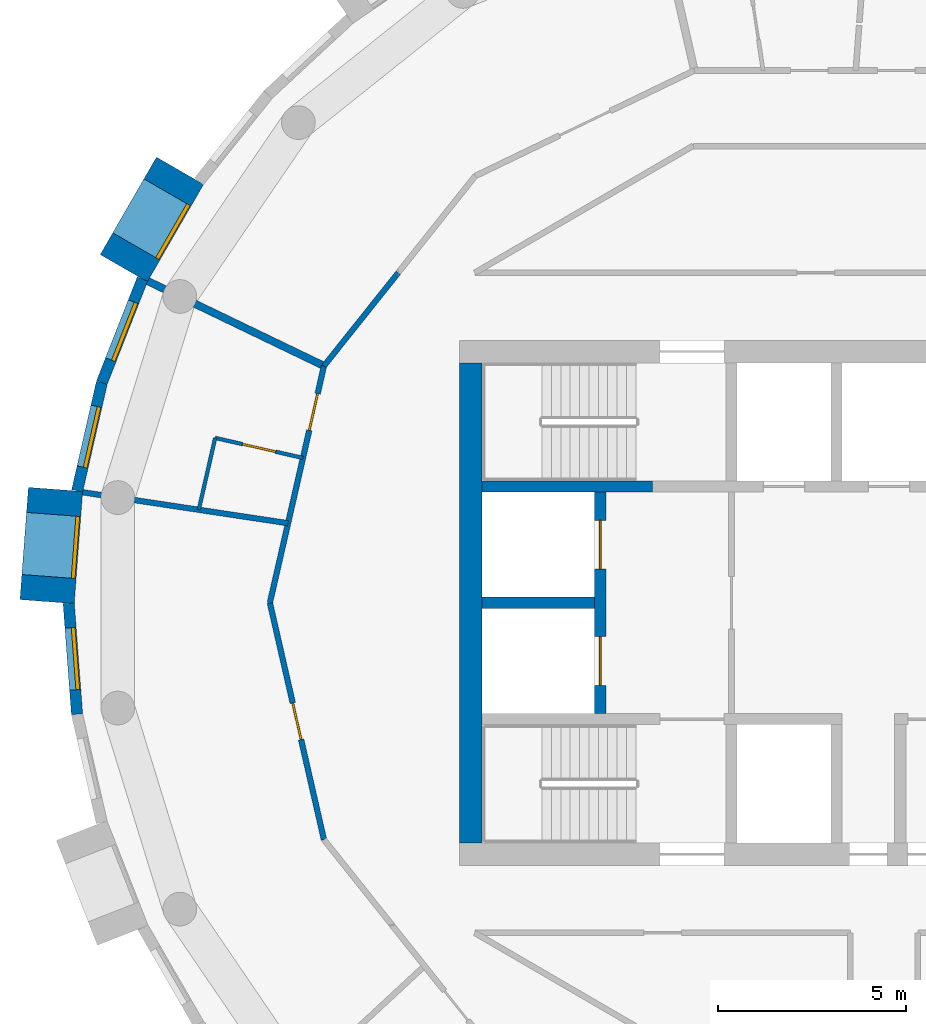
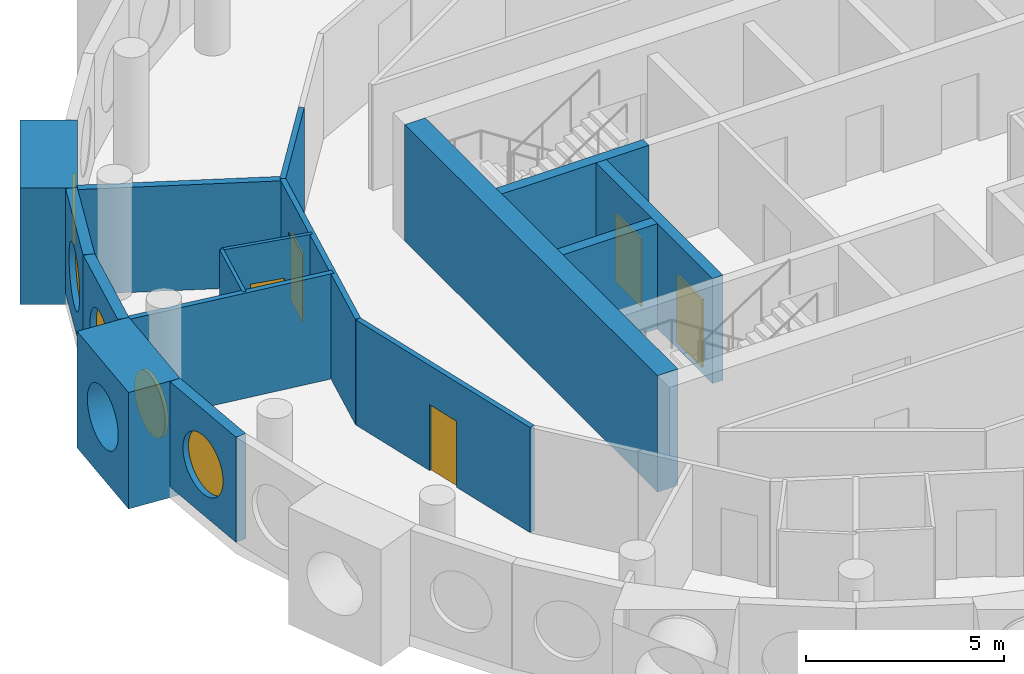
# One storey, part 6 of 13: 16 walls, 5 doors, 5 windows, 10 openings.
"""IFC4 building model written with IfcOpenShell, lengths in metres."""

import ifcopenshell
import ifcopenshell.guid

model = None  # the IFC model being written
_history = None  # IfcOwnerHistory: only IFC2X3 demands one
_inside = {}  # id of a spatial element -> (the spatial element, [elements in it])
_under = {}  # id of a project, library or spatial element -> (it, [spatial elements below it])
_declared = {}  # id of a project -> (the project, [libraries it declares])
_typed = {}  # id of a type object -> (the type object, [elements of that type])
_made_of = {}  # id of a material, layer set ... -> (it, [elements and type objects made of it])


def new_model(schema):
    """Start an empty IFC model of exactly this schema.

    Asked for "IFC4X3", IfcOpenShell would pick the latest addendum, in which some entities
    have other attributes; the version numbers below select the first issue.
    IFC2X3 requires an IfcOwnerHistory on every rooted entity: one is made here for all.
    """
    global model, _history
    if schema == "IFC4X3":
        model = ifcopenshell.file(schema_version=(4, 3, 0, 0))
    else:
        model = ifcopenshell.file(schema=schema)
    _inside.clear()
    _under.clear()
    _declared.clear()
    _typed.clear()
    _made_of.clear()
    _history = None
    if model.schema == "IFC2X3":
        org = make("IfcOrganization", Name="unknown")
        user = make(
            "IfcPersonAndOrganization",
            ThePerson=make("IfcPerson", FamilyName="unknown"),
            TheOrganization=org,
        )
        app = make(
            "IfcApplication",
            ApplicationDeveloper=org,
            Version="unknown",
            ApplicationFullName="unknown",
            ApplicationIdentifier="unknown",
        )
        _history = make(
            "IfcOwnerHistory",
            OwningUser=user,
            OwningApplication=app,
            ChangeAction="ADDED",
            CreationDate=0,
        )
    return model


def make(cls, **values):
    """One entity of the class cls with the attributes given. An attribute that is None is left unset."""
    return model.create_entity(
        cls, **{name: value for name, value in values.items() if value is not None}
    )


def rooted(cls, **values):
    """An entity with a GlobalId (a new one), such as an element, a storey or a relation."""
    return make(cls, GlobalId=ifcopenshell.guid.new(), OwnerHistory=_history, **values)


def si_unit(unit_type, name, prefix=None):
    """IfcSIUnit, for example si_unit("LENGTHUNIT", "METRE", prefix="MILLI")."""
    return make("IfcSIUnit", UnitType=unit_type, Prefix=prefix, Name=name)


def assignment(units):
    """IfcUnitAssignment: the units of a project."""
    return None if units is None else make("IfcUnitAssignment", Units=units)


def point(xyz):
    """IfcCartesianPoint."""
    return None if xyz is None else make("IfcCartesianPoint", Coordinates=xyz)


def direction(xyz):
    """IfcDirection."""
    return None if xyz is None else make("IfcDirection", DirectionRatios=xyz)


def frame(location, z_axis=None, x_axis=None):
    """IfcAxis2Placement3D, a coordinate frame: its origin and axes. An axis left out is left unset."""
    return make(
        "IfcAxis2Placement3D",
        Location=point(location),
        Axis=direction(z_axis),
        RefDirection=direction(x_axis),
    )


def frame_2d(location, x_axis=None):
    """IfcAxis2Placement2D, a coordinate frame in the plane: its origin and x axis."""
    return make(
        "IfcAxis2Placement2D", Location=point(location), RefDirection=direction(x_axis)
    )


def origin():
    """The frame at (0, 0, 0) with its axes left unset."""
    return frame((0.0, 0.0, 0.0))


def origin_2d():
    """The frame at (0, 0) in the plane with its x axis left unset."""
    return frame_2d((0.0, 0.0))


def place(relative_to, where):
    """IfcLocalPlacement: puts the frame where relative to a parent placement (None: the world)."""
    return make(
        "IfcLocalPlacement", PlacementRelTo=relative_to, RelativePlacement=where
    )


def context(
    kind, dimensions, precision=None, world=None, true_north=None, identifier=None
):
    """IfcGeometricRepresentationContext, for example the 3D "Model" context."""
    return make(
        "IfcGeometricRepresentationContext",
        ContextIdentifier=identifier,
        ContextType=kind,
        CoordinateSpaceDimension=dimensions,
        Precision=precision,
        WorldCoordinateSystem=world,
        TrueNorth=true_north,
    )


def subcontext(parent, identifier, kind, view, scale=None):
    """IfcGeometricRepresentationSubContext, for example "Body" below "Model"."""
    return make(
        "IfcGeometricRepresentationSubContext",
        ContextIdentifier=identifier,
        ContextType=kind,
        ParentContext=parent,
        TargetScale=scale,
        TargetView=view,
    )


def project(units=None, contexts=None):
    """IfcProject with its units and contexts."""
    return rooted(
        "IfcProject",
        Name="project",
        RepresentationContexts=contexts,
        UnitsInContext=assignment(units),
    )


def spatial(cls, under=None, at=None, **own):
    """A site, building, storey or space (cls), placed at a placement, below another one or the project."""
    s = rooted(cls, ObjectPlacement=at, **own)
    if under is not None:
        _under.setdefault(under.id(), (under, []))[1].append(s)
    return s


def profile(cls, at=None, kind="AREA", **sizes):
    """A parametric profile (cls). Its sizes go by their IFC names, for example OverallWidth=200.0."""
    return make(cls, ProfileType=kind, Position=at, **sizes)


def rectangle(**sizes):
    """IfcRectangleProfileDef."""
    return profile("IfcRectangleProfileDef", **sizes)


def circle(**sizes):
    """IfcCircleProfileDef."""
    return profile("IfcCircleProfileDef", **sizes)


def extrude(swept, where, along, depth):
    """IfcExtrudedAreaSolid: the profile swept, set in the frame where, extruded along a direction by depth."""
    return make(
        "IfcExtrudedAreaSolid",
        SweptArea=swept,
        Position=where,
        ExtrudedDirection=direction(along),
        Depth=depth,
    )


def shape(context_of_items, identifier, shape_type, items):
    """IfcShapeRepresentation: the items that make up one representation, for example the "Body"."""
    return make(
        "IfcShapeRepresentation",
        ContextOfItems=context_of_items,
        RepresentationIdentifier=identifier,
        RepresentationType=shape_type,
        Items=items,
    )


def material(Name=None, Category=None):
    """IfcMaterial."""
    return make("IfcMaterial", Name=Name, Category=Category)


def layer(
    of_material, thickness, ventilated=None, Name=None, Category=None, Priority=None
):
    """IfcMaterialLayer: one layer of a wall or slab, of a material (None: an air gap)."""
    return make(
        "IfcMaterialLayer",
        Material=of_material,
        LayerThickness=thickness,
        IsVentilated=ventilated,
        Name=Name,
        Category=Category,
        Priority=Priority,
    )


def layer_set(layers, Name=None):
    """IfcMaterialLayerSet."""
    return make("IfcMaterialLayerSet", MaterialLayers=layers, LayerSetName=Name)


def made_of(thing, what):
    """Note that an element or type object is made of a material, layer set ...; save() writes the relation."""
    if what is not None:
        _made_of.setdefault(what.id(), (what, []))[1].append(thing)
    return thing


def type_object(cls, material=None, **own):
    """A type object (cls), such as IfcWallType, which elements share."""
    return made_of(rooted(cls, **own), material)


def element(
    cls,
    number,
    at=None,
    inside=None,
    cuts=None,
    type_object=None,
    material=None,
    context=None,
    identifier="Body",
    shape_type=None,
    held_by="IfcProductDefinitionShape",
    body=None,
    shapes=None,
    **own,
):
    """One element of the class cls, such as IfcWall. Its Tag is "e" and its number.

    at: its placement. inside: the storey or other place that contains it. cuts: it is an
    opening in that element (IfcRelVoidsElement). A single representation is given by context,
    identifier, shape_type and body (its items); several are given by shapes. held_by: the class
    of the entity that holds the representations. save() writes the other relations.
    """
    e = rooted(cls, Tag="e%d" % number, ObjectPlacement=at, **own)
    if body is not None:
        shapes = [shape(context, identifier, shape_type, body)]
    if shapes is not None:
        e.Representation = make(held_by, Representations=shapes)
    if inside is not None:
        _inside.setdefault(inside.id(), (inside, []))[1].append(e)
    if cuts is not None:
        rooted(
            "IfcRelVoidsElement", RelatingBuildingElement=cuts, RelatedOpeningElement=e
        )
    if type_object is not None:
        _typed.setdefault(type_object.id(), (type_object, []))[1].append(e)
    return made_of(e, material)


def fill(opening, filler):
    """IfcRelFillsElement: the door or window that sits in an opening."""
    return rooted(
        "IfcRelFillsElement",
        RelatingOpeningElement=opening,
        RelatedBuildingElement=filler,
    )


def aggregate(whole, parts):
    """IfcRelAggregates: a whole, such as a stair, and the parts it consists of."""
    return rooted("IfcRelAggregates", RelatingObject=whole, RelatedObjects=parts)


def save(model, path):
    """Write the relations noted so far, then the file.

    IfcRelAggregates (storeys below a building ...), IfcRelContainedInSpatialStructure (elements
    in a storey), IfcRelDefinesByType, IfcRelAssociatesMaterial and IfcRelDeclares: one each for
    every whole, place, type object, material and project.
    """
    for whole, parts in _under.values():
        aggregate(whole, parts)
    for where, things in _inside.values():
        rooted(
            "IfcRelContainedInSpatialStructure",
            RelatedElements=things,
            RelatingStructure=where,
        )
    for kind, things in _typed.values():
        rooted("IfcRelDefinesByType", RelatedObjects=things, RelatingType=kind)
    for what, things in _made_of.values():
        rooted("IfcRelAssociatesMaterial", RelatedObjects=things, RelatingMaterial=what)
    for by, libraries in _declared.values():
        rooted("IfcRelDeclares", RelatingContext=by, RelatedDefinitions=libraries)
    model.write(path)


model = new_model("IFC4")

# Units and contexts
model_context = context("Model", 3, precision=1e-05, world=origin(), true_north=direction((0.0, 1.0)))
body_context = subcontext(model_context, "Body", "Model", "MODEL_VIEW")
ifc_project = project(units=[si_unit("LENGTHUNIT", "METRE"), si_unit("AREAUNIT", "SQUARE_METRE"), si_unit("VOLUMEUNIT", "CUBIC_METRE"), si_unit("PLANEANGLEUNIT", "RADIAN"), si_unit("MASSUNIT", "GRAM", prefix="KILO")], contexts=[model_context])

# Site, building, storey
site_placement = place(None, origin())
site = spatial("IfcSite", under=ifc_project, at=site_placement, CompositionType="ELEMENT")
building_placement = place(site_placement, origin())
building = spatial("IfcBuilding", under=site, at=building_placement, Name="Tracery Tower", CompositionType="ELEMENT")
storey_placement = place(building_placement, frame((0.0, 0.0, 294.60009765625)))
storey = spatial("IfcBuildingStorey", under=building, at=storey_placement, Name="L76", CompositionType="ELEMENT", Elevation=294.60009765625)

# Wall
ifc_material_1 = material(Name="Concrete C40/50", Category="concrete")
ifc_layer_1 = layer(ifc_material_1, 0.60009765625)
ifc_layer_set_1 = layer_set([ifc_layer_1], Name="Core wall 600 C40")
wall_type_1 = type_object("IfcWallType", Name="Core wall 600 C40", PredefinedType="SOLIDWALL", material=ifc_layer_set_1)
wall_1_placement = place(storey_placement, frame((-9.199951171875, -6.39990234375, 0.0), z_axis=(0.0, 0.0, 1.0), x_axis=(0.0, 1.0, 0.0)))
element("IfcWall", 1, at=wall_1_placement, inside=storey, type_object=wall_type_1, Name="L76 outer W", PredefinedType="SOLIDWALL", context=body_context, shape_type="SweptSolid", body=[
    extrude(rectangle(XDim=12.7998046875, YDim=0.60009765625, at=frame_2d((6.39990234375, 0.0))), origin(), (0.0, 0.0, 1.0), 3.599853515625),
])

# Wall, opening, window
ifc_material_2 = material(Name="Precast concrete C50/60", Category="concrete")
ifc_layer_2 = layer(ifc_material_2, 1.449951171875)
ifc_layer_set_2 = layer_set([ifc_layer_2], Name="Deep-set bay unit 3000 x 3600, slab edge 350")
wall_type_2 = type_object("IfcWallType", Name="Deep-set bay unit 3000 x 3600, slab edge 350", PredefinedType="ELEMENTEDWALL", material=ifc_layer_set_2)
wall_2_placement = place(storey_placement, frame((-16.952392578125, 11.51953125, -0.35009765625), z_axis=(0.0, 0.0, 1.0), x_axis=(-0.499990139034, -0.866031096941, 0.0)))
wall_2 = element("IfcWall", 2, at=wall_2_placement, inside=storey, type_object=wall_type_2, Name="Deep-set bay unit 18 at L76", PredefinedType="ELEMENTEDWALL", context=body_context, shape_type="SweptSolid", body=[
    extrude(rectangle(XDim=3.0, YDim=1.449951171875, at=frame_2d((1.5, 0.0))), origin(), (0.0, 0.0, 1.0), 3.60009765625),
])
opening_1_placement = place(wall_2_placement, frame((1.5, 0.0, 1.89990234375)))
opening_1 = element("IfcOpeningElement", 3, at=opening_1_placement, cuts=wall_2, Name="Opening WN1", PredefinedType="OPENING", context=body_context, shape_type="SweptSolid", body=[
    extrude(circle(Radius=0.9000244140625, at=origin_2d()), frame((0.0, 0.73486328125, 0.0), z_axis=(0.0, -1.0, 0.0), x_axis=(1.0, 0.0, 0.0)), (0.0, 0.0, 1.0), 1.469970703125),
])
ifc_material_3 = material(Name="Aluminium frame with tinted double glazing", Category="aluminium")
window_type = type_object("IfcWindowType", Name="Round window 1800", PartitioningType="SINGLE_PANEL", PredefinedType="WINDOW", material=ifc_material_3)
window_1_placement = place(opening_1_placement, origin())
window_1 = element("IfcWindow", 4, at=window_1_placement, inside=storey, type_object=window_type, Name="Round window 18 at L76", OverallHeight=1.800048828125, OverallWidth=1.800048828125, PartitioningType="SINGLE_PANEL", PredefinedType="WINDOW", context=body_context, shape_type="SweptSolid", body=[
    extrude(circle(Radius=0.9000244140625, at=origin_2d()), frame((0.0, 0.69482421875, 0.0), z_axis=(0.0, -1.0, 0.0), x_axis=(1.0, 0.0, 0.0)), (0.0, 0.0, 1.0), 0.10009765625),
])
fill(opening_1, window_1)

wall_3_placement = place(storey_placement, frame((-20.271728515625, 3.0234375, -0.35009765625), z_axis=(0.0, 0.0, 1.0), x_axis=(-0.074785902127, -0.997199613339, 0.0)))
wall_3 = element("IfcWall", 5, at=wall_3_placement, inside=storey, type_object=wall_type_2, Name="Deep-set bay unit 21 at L76", PredefinedType="ELEMENTEDWALL", context=body_context, shape_type="SweptSolid", body=[
    extrude(rectangle(XDim=3.0, YDim=1.449951171875, at=frame_2d((1.5, 0.0))), origin(), (0.0, 0.0, 1.0), 3.60009765625),
])
opening_2_placement = place(wall_3_placement, frame((1.5, 0.0, 1.89990234375)))
opening_2 = element("IfcOpeningElement", 6, at=opening_2_placement, cuts=wall_3, Name="Opening WN1", PredefinedType="OPENING", context=body_context, shape_type="SweptSolid", body=[
    extrude(circle(Radius=0.9000244140625, at=origin_2d()), frame((0.0, 0.73486328125, 0.0), z_axis=(0.0, -1.0, 0.0), x_axis=(1.0, 0.0, 0.0)), (0.0, 0.0, 1.0), 1.469970703125),
])
window_2_placement = place(opening_2_placement, origin())
window_2 = element("IfcWindow", 7, at=window_2_placement, inside=storey, type_object=window_type, Name="Round window 21 at L76", OverallHeight=1.800048828125, OverallWidth=1.800048828125, PartitioningType="SINGLE_PANEL", PredefinedType="WINDOW", context=body_context, shape_type="SweptSolid", body=[
    extrude(circle(Radius=0.9000244140625, at=origin_2d()), frame((0.0, 0.69482421875, 0.0), z_axis=(0.0, -1.0, 0.0), x_axis=(1.0, 0.0, 0.0)), (0.0, 0.0, 1.0), 0.10009765625),
])
fill(opening_2, window_2)

ifc_material_4 = material(Name="Precast concrete C50/60", Category="concrete")
ifc_layer_3 = layer(ifc_material_4, 0.300048828125)
ifc_layer_set_3 = layer_set([ifc_layer_3], Name="Facade panel 3000 x 3250")
wall_type_3 = type_object("IfcWallType", Name="Facade panel 3000 x 3250", PredefinedType="SOLIDWALL", material=ifc_layer_set_3)
wall_4_placement = place(storey_placement, frame((-17.95458984375, 8.62939453125, 0.0), z_axis=(0.0, 0.0, 1.0), x_axis=(-0.36530043032, -0.930889679612, 0.0)))
wall_4 = element("IfcWall", 8, at=wall_4_placement, inside=storey, type_object=wall_type_3, Name="Facade panel 19 at L76", PredefinedType="SOLIDWALL", context=body_context, shape_type="SweptSolid", body=[
    extrude(rectangle(XDim=2.9619140625, YDim=0.300048828125, at=frame_2d((1.48095703125, 0.0))), origin(), (0.0, 0.0, 1.0), 3.25),
])
opening_3_placement = place(wall_4_placement, frame((1.48095703125, 0.0, 1.5498046875)))
opening_3 = element("IfcOpeningElement", 9, at=opening_3_placement, cuts=wall_4, Name="Opening WN1", PredefinedType="OPENING", context=body_context, shape_type="SweptSolid", body=[
    extrude(circle(Radius=0.9000244140625, at=origin_2d()), frame((0.0, 0.159912109375, 0.0), z_axis=(0.0, -1.0, 0.0), x_axis=(1.0, 0.0, 0.0)), (0.0, 0.0, 1.0), 0.320068359375),
])
window_3_placement = place(opening_3_placement, origin())
window_3 = element("IfcWindow", 10, at=window_3_placement, inside=storey, type_object=window_type, Name="Round window 19 at L76", OverallHeight=1.800048828125, OverallWidth=1.800048828125, PartitioningType="SINGLE_PANEL", PredefinedType="WINDOW", context=body_context, shape_type="SweptSolid", body=[
    extrude(circle(Radius=0.9000244140625, at=origin_2d()), frame((0.0, 0.1201171875, 0.0), z_axis=(0.0, -1.0, 0.0), x_axis=(1.0, 0.0, 0.0)), (0.0, 0.0, 1.0), 0.10009765625),
])
fill(opening_3, window_3)

wall_5_placement = place(storey_placement, frame((-19.03662109375, 5.8720703125, 0.0), z_axis=(0.0, 0.0, 1.0), x_axis=(-0.222529389789, -0.974925982155, 0.0)))
wall_5 = element("IfcWall", 11, at=wall_5_placement, inside=storey, type_object=wall_type_3, Name="Facade panel 20 at L76", PredefinedType="SOLIDWALL", context=body_context, shape_type="SweptSolid", body=[
    extrude(rectangle(XDim=2.962158203125, YDim=0.300048828125, at=frame_2d((1.48095703125, 0.0))), origin(), (0.0, 0.0, 1.0), 3.25),
])
opening_4_placement = place(wall_5_placement, frame((1.48095703125, 0.0, 1.5498046875)))
opening_4 = element("IfcOpeningElement", 12, at=opening_4_placement, cuts=wall_5, Name="Opening WN1", PredefinedType="OPENING", context=body_context, shape_type="SweptSolid", body=[
    extrude(circle(Radius=0.9000244140625, at=origin_2d()), frame((0.0, 0.159912109375, 0.0), z_axis=(0.0, -1.0, 0.0), x_axis=(1.0, 0.0, 0.0)), (0.0, 0.0, 1.0), 0.320068359375),
])
window_4_placement = place(opening_4_placement, origin())
window_4 = element("IfcWindow", 13, at=window_4_placement, inside=storey, type_object=window_type, Name="Round window 20 at L76", OverallHeight=1.800048828125, OverallWidth=1.800048828125, PartitioningType="SINGLE_PANEL", PredefinedType="WINDOW", context=body_context, shape_type="SweptSolid", body=[
    extrude(circle(Radius=0.9000244140625, at=origin_2d()), frame((0.0, 0.1201171875, 0.0), z_axis=(0.0, -1.0, 0.0), x_axis=(1.0, 0.0, 0.0)), (0.0, 0.0, 1.0), 0.10009765625),
])
fill(opening_4, window_4)

wall_6_placement = place(storey_placement, frame((-19.920654296875, -0.01513671875, 0.0), z_axis=(0.0, 0.0, 1.0), x_axis=(0.07474897196, -0.997202382263, 0.0)))
wall_6 = element("IfcWall", 14, at=wall_6_placement, inside=storey, type_object=wall_type_3, Name="Facade panel 22 at L76", PredefinedType="SOLIDWALL", context=body_context, shape_type="SweptSolid", body=[
    extrude(rectangle(XDim=2.96240234375, YDim=0.300048828125, at=frame_2d((1.481201171875, 0.0))), origin(), (0.0, 0.0, 1.0), 3.25),
])
opening_5_placement = place(wall_6_placement, frame((1.48095703125, 0.0, 1.5498046875)))
opening_5 = element("IfcOpeningElement", 15, at=opening_5_placement, cuts=wall_6, Name="Opening WN1", PredefinedType="OPENING", context=body_context, shape_type="SweptSolid", body=[
    extrude(circle(Radius=0.9000244140625, at=origin_2d()), frame((0.0, 0.159912109375, 0.0), z_axis=(0.0, -1.0, 0.0), x_axis=(1.0, 0.0, 0.0)), (0.0, 0.0, 1.0), 0.320068359375),
])
window_5_placement = place(opening_5_placement, origin())
window_5 = element("IfcWindow", 16, at=window_5_placement, inside=storey, type_object=window_type, Name="Round window 22 at L76", OverallHeight=1.800048828125, OverallWidth=1.800048828125, PartitioningType="SINGLE_PANEL", PredefinedType="WINDOW", context=body_context, shape_type="SweptSolid", body=[
    extrude(circle(Radius=0.9000244140625, at=origin_2d()), frame((0.0, 0.1201171875, 0.0), z_axis=(0.0, -1.0, 0.0), x_axis=(1.0, 0.0, 0.0)), (0.0, 0.0, 1.0), 0.10009765625),
])
fill(opening_5, window_5)

# Wall, opening, door
ifc_material_5 = material(Name="Plasterboard on steel studs", Category="steel")
ifc_layer_4 = layer(ifc_material_5, 0.10009765625)
ifc_layer_set_4 = layer_set([ifc_layer_4], Name="Partition 100 wet wall")
wall_type_4 = type_object("IfcWallType", Name="Partition 100 wet wall", PredefinedType="PARTITIONING", material=ifc_layer_set_4)
wall_7_placement = place(storey_placement, frame((-16.014892578125, 4.39599609375, 0.0), z_axis=(0.0, 0.0, 1.0), x_axis=(0.97493862442, -0.222473995368, 0.0)))
wall_7 = element("IfcWall", 17, at=wall_7_placement, inside=storey, type_object=wall_type_4, Name="Wet wall RC7-057", PredefinedType="PARTITIONING", context=body_context, shape_type="SweptSolid", body=[
    extrude(rectangle(XDim=2.39990234375, YDim=0.10009765625, at=frame_2d((1.199951171875, 0.0))), origin(), (0.0, 0.0, 1.0), 3.25),
])
opening_6_placement = place(wall_7_placement, frame((0.750244140625, 0.0, 0.0)))
opening_6 = element("IfcOpeningElement", 18, at=opening_6_placement, cuts=wall_7, Name="Opening RC7-12", PredefinedType="OPENING", context=body_context, shape_type="SweptSolid", body=[
    extrude(rectangle(XDim=0.89990234375, YDim=2.0400390625, at=frame_2d((0.449951171875, 1.02001953125))), frame((0.0, 0.050048828125, 0.0), z_axis=(0.0, -1.0, 0.0), x_axis=(1.0, 0.0, 0.0)), (0.0, 0.0, 1.0), 0.10009765625),
])
ifc_material_6 = material(Name="Timber door leaf", Category="wood")
door_type_1 = type_object("IfcDoorType", Name="Door en-suite 900", OperationType="NOTDEFINED", PredefinedType="DOOR", material=ifc_material_6)
door_1_placement = place(opening_6_placement, origin())
door_1 = element("IfcDoor", 19, at=door_1_placement, inside=storey, type_object=door_type_1, Name="En-suite door RC7-12", OperationType="SINGLE_SWING_LEFT", OverallHeight=2.0400390625, OverallWidth=0.89990234375, PredefinedType="DOOR", context=body_context, shape_type="SweptSolid", body=[
    extrude(rectangle(XDim=0.89990234375, YDim=2.0400390625, at=frame_2d((0.449951171875, 1.02001953125))), frame((0.0, 0.02490234375, 0.0), z_axis=(0.0, -1.0, 0.0), x_axis=(1.0, 0.0, 0.0)), (0.0, 0.0, 1.0), 0.050048828125),
])
fill(opening_6, door_1)

# Walls
wall_8_placement = place(storey_placement, frame((-16.451904296875, 2.47998046875, 0.0), z_axis=(0.0, 0.0, 1.0), x_axis=(0.22237276708, 0.974961718459, 0.0)))
element("IfcWall", 20, at=wall_8_placement, inside=storey, type_object=wall_type_4, Name="Wet wall RC7-058", PredefinedType="PARTITIONING", context=body_context, shape_type="SweptSolid", body=[
    extrude(rectangle(XDim=1.96533203125, YDim=0.10009765625, at=frame_2d((0.982666015625, 0.0))), origin(), (0.0, 0.0, 1.0), 3.25),
])
ifc_material_7 = material(Name="Plasterboard on steel studs", Category="steel")
ifc_layer_5 = layer(ifc_material_7, 0.14990234375)
ifc_layer_set_5 = layer_set([ifc_layer_5], Name="Partition 150 acoustic unit wall")
wall_type_5 = type_object("IfcWallType", Name="Partition 150 acoustic unit wall", PredefinedType="PARTITIONING", material=ifc_layer_set_5)
wall_9_placement = place(storey_placement, frame((-19.551025390625, 2.947021484375, 0.0), z_axis=(0.0, 0.0, 1.0), x_axis=(0.988837218495, -0.148999850064, 0.0)))
element("IfcWall", 21, at=wall_9_placement, inside=storey, type_object=wall_type_5, Name="Unit wall RC7-059", PredefinedType="PARTITIONING", context=body_context, shape_type="SweptSolid", body=[
    extrude(rectangle(XDim=5.539794921875, YDim=0.14990234375, at=frame_2d((2.77001953125, 0.0))), origin(), (0.0, 0.0, 1.0), 3.25),
])
ifc_material_8 = material(Name="Plasterboard on steel studs", Category="steel")
ifc_layer_6 = layer(ifc_material_8, 0.14990234375)
ifc_layer_set_6 = layer_set([ifc_layer_6], Name="Partition 150 corridor wall")
wall_type_6 = type_object("IfcWallType", Name="Partition 150 corridor wall", PredefinedType="PARTITIONING", material=ifc_layer_set_6)
wall_10_placement = place(storey_placement, frame((-13.114990234375, 6.31591796875, 0.0), z_axis=(0.0, 0.0, 1.0), x_axis=(0.623476099415, 0.781842409606, 0.0)))
element("IfcWall", 22, at=wall_10_placement, inside=storey, type_object=wall_type_6, Name="Corridor wall RC7-030", PredefinedType="PARTITIONING", context=body_context, shape_type="SweptSolid", body=[
    extrude(rectangle(XDim=3.17724609375, YDim=0.14990234375, at=frame_2d((1.588623046875, 0.0))), origin(), (0.0, 0.0, 1.0), 3.25),
])

# Wall, opening, door
wall_11_placement = place(storey_placement, frame((-14.556640625, 0.0, 0.0), z_axis=(0.0, 0.0, 1.0), x_axis=(0.222533159771, 0.974925121639, 0.0)))
wall_11 = element("IfcWall", 23, at=wall_11_placement, inside=storey, type_object=wall_type_6, Name="Corridor wall RC7-031", PredefinedType="PARTITIONING", context=body_context, shape_type="SweptSolid", body=[
    extrude(rectangle(XDim=6.478271484375, YDim=0.14990234375, at=frame_2d((3.2392578125, 0.0))), origin(), (0.0, 0.0, 1.0), 3.25),
])
opening_7_placement = place(wall_11_placement, frame((4.71826171875, 0.0, 0.0)))
opening_7 = element("IfcOpeningElement", 24, at=opening_7_placement, cuts=wall_11, Name="Opening RC7-13", PredefinedType="OPENING", context=body_context, shape_type="SweptSolid", body=[
    extrude(rectangle(XDim=1.0, YDim=2.10009765625, at=frame_2d((0.5, 1.050048828125))), frame((0.0, 0.074951171875, 0.0), z_axis=(0.0, -1.0, 0.0), x_axis=(1.0, 0.0, 0.0)), (0.0, 0.0, 1.0), 0.14990234375),
])
ifc_material_9 = material(Name="Timber door leaf", Category="wood")
door_type_2 = type_object("IfcDoorType", Name="Door unit entrance 1000", OperationType="NOTDEFINED", PredefinedType="DOOR", material=ifc_material_9)
door_2_placement = place(opening_7_placement, origin())
door_2 = element("IfcDoor", 25, at=door_2_placement, inside=storey, type_object=door_type_2, Name="Unit entrance door RC7-13", OperationType="SINGLE_SWING_RIGHT", OverallHeight=2.10009765625, OverallWidth=1.0, PredefinedType="DOOR", context=body_context, shape_type="SweptSolid", body=[
    extrude(rectangle(XDim=1.0, YDim=2.10009765625, at=frame_2d((0.5, 1.050048828125))), frame((0.0, 0.02490234375, 0.0), z_axis=(0.0, -1.0, 0.0), x_axis=(1.0, 0.0, 0.0)), (0.0, 0.0, 1.0), 0.050048828125),
])
fill(opening_7, door_2)

wall_12_placement = place(storey_placement, frame((-14.556884765625, 0.0, 0.0), z_axis=(0.0, 0.0, 1.0), x_axis=(0.222568978642, -0.97491694505, 0.0)))
wall_12 = element("IfcWall", 26, at=wall_12_placement, inside=storey, type_object=wall_type_6, Name="Corridor wall RC7-033", PredefinedType="PARTITIONING", context=body_context, shape_type="SweptSolid", body=[
    extrude(rectangle(XDim=6.478515625, YDim=0.14990234375, at=frame_2d((3.2392578125, 0.0))), origin(), (0.0, 0.0, 1.0), 3.25),
])
opening_8_placement = place(wall_12_placement, frame((2.739501953125, 0.0, 0.0)))
opening_8 = element("IfcOpeningElement", 27, at=opening_8_placement, cuts=wall_12, Name="Opening RC7-14", PredefinedType="OPENING", context=body_context, shape_type="SweptSolid", body=[
    extrude(rectangle(XDim=1.0, YDim=2.0400390625, at=frame_2d((0.5, 1.02001953125))), frame((0.0, 0.074951171875, 0.0), z_axis=(0.0, -1.0, 0.0), x_axis=(1.0, 0.0, 0.0)), (0.0, 0.0, 1.0), 0.14990234375),
])
ifc_material_10 = material(Name="Timber door leaf", Category="wood")
door_type_3 = type_object("IfcDoorType", Name="Door communal room 1000", OperationType="NOTDEFINED", PredefinedType="DOOR", material=ifc_material_10)
door_3_placement = place(opening_8_placement, origin())
door_3 = element("IfcDoor", 28, at=door_3_placement, inside=storey, type_object=door_type_3, Name="Communal room door RC7-14", OperationType="SINGLE_SWING_LEFT", OverallHeight=2.0400390625, OverallWidth=1.0, PredefinedType="DOOR", context=body_context, shape_type="SweptSolid", body=[
    extrude(rectangle(XDim=1.0, YDim=2.0400390625, at=frame_2d((0.5, 1.02001953125))), frame((0.0, 0.02490234375, 0.0), z_axis=(0.0, -1.0, 0.0), x_axis=(1.0, 0.0, 0.0)), (0.0, 0.0, 1.0), 0.050048828125),
])
fill(opening_8, door_3)

# Walls
ifc_material_11 = material(Name="Plasterboard on steel studs", Category="steel")
ifc_layer_7 = layer(ifc_material_11, 0.199951171875)
ifc_layer_set_7 = layer_set([ifc_layer_7], Name="Partition 200 compartment wall")
wall_type_7 = type_object("IfcWallType", Name="Partition 200 compartment wall", PredefinedType="PARTITIONING", material=ifc_layer_set_7)
wall_13_placement = place(storey_placement, frame((-17.81298828125, 8.577880859375, 0.0), z_axis=(0.0, 0.0, 1.0), x_axis=(0.901022681876, -0.433771975518, 0.0)))
element("IfcWall", 29, at=wall_13_placement, inside=storey, type_object=wall_type_7, Name="Compartment wall RC7-056", PredefinedType="PARTITIONING", context=body_context, shape_type="SweptSolid", body=[
    extrude(rectangle(XDim=5.214111328125, YDim=0.199951171875, at=frame_2d((2.60693359375, 0.0))), origin(), (0.0, 0.0, 1.0), 3.25),
])
ifc_material_12 = material(Name="Concrete C40/50", Category="concrete")
ifc_layer_8 = layer(ifc_material_12, 0.300048828125)
ifc_layer_set_8 = layer_set([ifc_layer_8], Name="Shaft wall 300 C40")
wall_type_8 = type_object("IfcWallType", Name="Shaft wall 300 C40", PredefinedType="SOLIDWALL", material=ifc_layer_set_8)
wall_14_placement = place(storey_placement, frame((-8.89990234375, 0.0, 0.0), z_axis=(0.0, 0.0, 1.0), x_axis=(1.0, 0.0, 0.0)))
element("IfcWall", 30, at=wall_14_placement, inside=storey, type_object=wall_type_8, Name="L76 FF split", PredefinedType="SOLIDWALL", context=body_context, shape_type="SweptSolid", body=[
    extrude(rectangle(XDim=3.0, YDim=0.300048828125, at=frame_2d((1.5, 0.0))), origin(), (0.0, 0.0, 1.0), 3.25),
])

# Wall, openings, doors
wall_15_placement = place(storey_placement, frame((-5.75, -2.949951171875, 0.0), z_axis=(0.0, 0.0, 1.0), x_axis=(0.0, 1.0, 0.0)))
wall_15 = element("IfcWall", 31, at=wall_15_placement, inside=storey, type_object=wall_type_8, Name="L76 FF doors", PredefinedType="SOLIDWALL", context=body_context, shape_type="SweptSolid", body=[
    extrude(rectangle(XDim=5.89990234375, YDim=0.300048828125, at=frame_2d((2.949951171875, 0.0))), origin(), (0.0, 0.0, 1.0), 3.25),
])
opening_9_placement = place(wall_15_placement, frame((0.75, 0.0, 0.0)))
opening_9 = element("IfcOpeningElement", 32, at=opening_9_placement, cuts=wall_15, Name="Opening KD54", PredefinedType="OPENING", context=body_context, shape_type="SweptSolid", body=[
    extrude(rectangle(XDim=1.300048828125, YDim=2.10009765625, at=frame_2d((0.64990234375, 1.050048828125))), frame((0.0, 0.14990234375, 0.0), z_axis=(0.0, -1.0, 0.0), x_axis=(1.0, 0.0, 0.0)), (0.0, 0.0, 1.0), 0.300048828125),
])
opening_10_placement = place(wall_15_placement, frame((3.85009765625, 0.0, 0.0)))
opening_10 = element("IfcOpeningElement", 33, at=opening_10_placement, cuts=wall_15, Name="Opening KD55", PredefinedType="OPENING", context=body_context, shape_type="SweptSolid", body=[
    extrude(rectangle(XDim=1.300048828125, YDim=2.10009765625, at=frame_2d((0.64990234375, 1.050048828125))), frame((0.0, 0.14990234375, 0.0), z_axis=(0.0, -1.0, 0.0), x_axis=(1.0, 0.0, 0.0)), (0.0, 0.0, 1.0), 0.300048828125),
])
ifc_material_13 = material(Name="Steel fire door", Category="steel")
door_type_4 = type_object("IfcDoorType", Name="Landing door FF 1300", OperationType="NOTDEFINED", PredefinedType="DOOR", material=ifc_material_13)
door_4_placement = place(opening_9_placement, origin())
door_4 = element("IfcDoor", 34, at=door_4_placement, inside=storey, type_object=door_type_4, Name="Landing door FF1", OperationType="SLIDING_TO_LEFT", OverallHeight=2.10009765625, OverallWidth=1.300048828125, PredefinedType="DOOR", context=body_context, shape_type="SweptSolid", body=[
    extrude(rectangle(XDim=1.300048828125, YDim=2.10009765625, at=frame_2d((0.64990234375, 1.050048828125))), frame((0.0, 0.02490234375, 0.0), z_axis=(0.0, -1.0, 0.0), x_axis=(1.0, 0.0, 0.0)), (0.0, 0.0, 1.0), 0.050048828125),
])
fill(opening_9, door_4)
door_5_placement = place(opening_10_placement, origin())
door_5 = element("IfcDoor", 35, at=door_5_placement, inside=storey, type_object=door_type_4, Name="Landing door FF2", OperationType="SLIDING_TO_RIGHT", OverallHeight=2.10009765625, OverallWidth=1.300048828125, PredefinedType="DOOR", context=body_context, shape_type="SweptSolid", body=[
    extrude(rectangle(XDim=1.300048828125, YDim=2.10009765625, at=frame_2d((0.64990234375, 1.050048828125))), frame((0.0, 0.02490234375, 0.0), z_axis=(0.0, -1.0, 0.0), x_axis=(1.0, 0.0, 0.0)), (0.0, 0.0, 1.0), 0.050048828125),
])
fill(opening_10, door_5)

# Wall
ifc_material_14 = material(Name="Concrete C40/50", Category="concrete")
ifc_layer_9 = layer(ifc_material_14, 0.300048828125)
ifc_layer_set_9 = layer_set([ifc_layer_9], Name="Stair wall 300 C40")
wall_type_9 = type_object("IfcWallType", Name="Stair wall 300 C40", PredefinedType="SOLIDWALL", material=ifc_layer_set_9)
wall_16_placement = place(storey_placement, frame((-8.89990234375, 3.10009765625, 0.0), z_axis=(0.0, 0.0, 1.0), x_axis=(1.0, 0.0, 0.0)))
element("IfcWall", 36, at=wall_16_placement, inside=storey, type_object=wall_type_9, Name="L76 row N W", PredefinedType="SOLIDWALL", context=body_context, shape_type="SweptSolid", body=[
    extrude(rectangle(XDim=4.5498046875, YDim=0.300048828125, at=frame_2d((2.27490234375, 0.0))), origin(), (0.0, 0.0, 1.0), 3.25),
])

save(model, "model.ifc")
